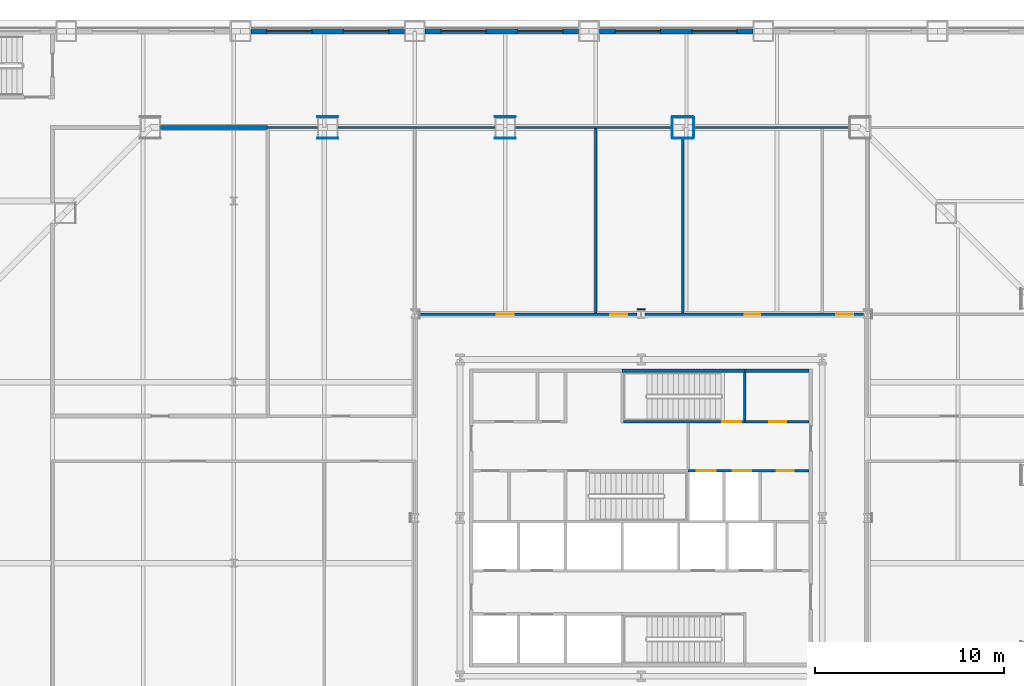
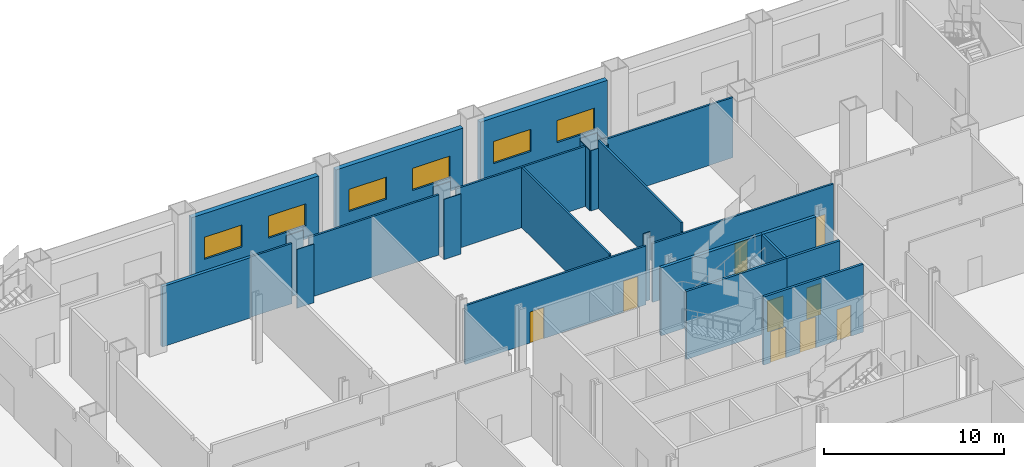
# One storey, part 16 of 26: 27 walls, 9 doors, 6 windows, 15 openings.
"""IFC4 building model written with IfcOpenShell, lengths in metres."""

from ifc_helpers import new_model, si_unit, direction, frame, frame_2d, origin, place, context, subcontext, project, spatial, polyline, rectangle, outline, extrude, material, layer, layer_set, type_object, element, fill, save


model = new_model("IFC4")

# Units and contexts
model_context = context("Model", 3, precision=1e-05, world=origin(), true_north=direction((0.0, 1.0)))
body_context = subcontext(model_context, "Body", "Model", "MODEL_VIEW")
ifc_project = project(units=[si_unit("LENGTHUNIT", "METRE"), si_unit("AREAUNIT", "SQUARE_METRE"), si_unit("VOLUMEUNIT", "CUBIC_METRE"), si_unit("PLANEANGLEUNIT", "RADIAN"), si_unit("MASSUNIT", "GRAM", prefix="KILO")], contexts=[model_context])

# Site, building, storey
site_placement = place(None, origin())
site = spatial("IfcSite", under=ifc_project, at=site_placement, CompositionType="ELEMENT")
building_placement = place(site_placement, origin())
building = spatial("IfcBuilding", under=site, at=building_placement, Name="Cairn Pilgrim Tower", CompositionType="ELEMENT")
storey_placement = place(building_placement, frame((0.0, 0.0, 21.0)))
storey = spatial("IfcBuildingStorey", under=building, at=storey_placement, Name="L03", CompositionType="ELEMENT", Elevation=21.0)

# Wall
ifc_material_1 = material(Name="Concrete C32/40", Category="concrete")
ifc_layer_1 = layer(ifc_material_1, 0.199951171875)
ifc_layer_set_1 = layer_set([ifc_layer_1], Name="CORE OUTER WALL 200 EI 120")
wall_type_1 = type_object("IfcWallType", Name="CORE OUTER WALL 200 EI 120", PredefinedType="SOLIDWALL", material=ifc_layer_set_1)
wall_1_placement = place(storey_placement, frame((12.699951171875, 10.199951171875, 0.0), z_axis=(0.0, 0.0, 1.0), x_axis=(1.0, 0.0, 0.0)))
element("IfcWall", 1, at=wall_1_placement, inside=storey, type_object=wall_type_1, Name="CW:L03:H11-3", PredefinedType="SOLIDWALL", context=body_context, shape_type="SweptSolid", body=[
    extrude(rectangle(XDim=3.400146484375, YDim=0.199951171875, at=frame_2d((1.7001953125, 0.0))), origin(), (0.0, 0.0, 1.0), 4.60009765625),
])

# Wall, openings, doors
ifc_layer_2 = layer(ifc_material_1, 0.14990234375)
ifc_layer_set_2 = layer_set([ifc_layer_2], Name="CORE SHAFT WALL 150 EI 120")
wall_type_2 = type_object("IfcWallType", Name="CORE SHAFT WALL 150 EI 120", PredefinedType="SOLIDWALL", material=ifc_layer_set_2)
wall_2_placement = place(storey_placement, frame((9.699951171875, 4.89990234375, 0.0), z_axis=(0.0, 0.0, 1.0), x_axis=(1.0, 0.0, 0.0)))
wall_2 = element("IfcWall", 2, at=wall_2_placement, inside=storey, type_object=wall_type_2, Name="CW:L03:H08-2", PredefinedType="SOLIDWALL", context=body_context, shape_type="SweptSolid", body=[
    extrude(rectangle(XDim=6.400146484375, YDim=0.14990234375, at=frame_2d((3.2001953125, 0.0))), origin(), (0.0, 0.0, 1.0), 4.60009765625),
])
opening_1_placement = place(wall_2_placement, frame((0.449951171875, 0.0, 0.0)))
opening_1 = element("IfcOpeningElement", 3, at=opening_1_placement, cuts=wall_2, Name="Opening LD-FF1", PredefinedType="OPENING", context=body_context, shape_type="SweptSolid", body=[
    extrude(rectangle(XDim=1.0, YDim=2.10009765625, at=frame_2d((0.5, 1.050048828125))), frame((0.0, 0.0849609375, 0.0), z_axis=(0.0, -1.0, 0.0), x_axis=(1.0, 0.0, 0.0)), (0.0, 0.0, 1.0), 0.169921875),
])
opening_2_placement = place(wall_2_placement, frame((2.35009765625, 0.0, 0.0)))
opening_2 = element("IfcOpeningElement", 4, at=opening_2_placement, cuts=wall_2, Name="Opening LD-FF2", PredefinedType="OPENING", context=body_context, shape_type="SweptSolid", body=[
    extrude(rectangle(XDim=1.0, YDim=2.10009765625, at=frame_2d((0.5, 1.050048828125))), frame((0.0, 0.0849609375, 0.0), z_axis=(0.0, -1.0, 0.0), x_axis=(1.0, 0.0, 0.0)), (0.0, 0.0, 1.0), 0.169921875),
])
opening_3_placement = place(wall_2_placement, frame((4.699951171875, 0.0, 0.0)))
opening_3 = element("IfcOpeningElement", 5, at=opening_3_placement, cuts=wall_2, Name="Opening RD-R3E", PredefinedType="OPENING", context=body_context, shape_type="SweptSolid", body=[
    extrude(rectangle(XDim=0.89990234375, YDim=2.10009765625, at=frame_2d((0.449951171875, 1.050048828125))), frame((0.0, 0.0849609375, 0.0), z_axis=(0.0, -1.0, 0.0), x_axis=(1.0, 0.0, 0.0)), (0.0, 0.0, 1.0), 0.169921875),
])
ifc_material_2 = material(Name="Stainless steel", Category="steel")
door_type_1 = type_object("IfcDoorType", Name="LIFT LANDING DOOR FIRE 1000x2100", OperationType="DOUBLE_DOOR_SLIDING", PredefinedType="DOOR", material=ifc_material_2)
door_1_placement = place(opening_1_placement, origin())
door_1 = element("IfcDoor", 6, at=door_1_placement, inside=storey, type_object=door_type_1, Name="LANDING DOOR FF1", OperationType="DOUBLE_DOOR_SLIDING", OverallHeight=2.10009765625, OverallWidth=1.0, PredefinedType="DOOR", context=body_context, shape_type="SweptSolid", body=[
    extrude(rectangle(XDim=1.0, YDim=2.10009765625, at=frame_2d((0.5, 1.050048828125))), frame((0.0, 0.02490234375, 0.0), z_axis=(0.0, -1.0, 0.0), x_axis=(1.0, 0.0, 0.0)), (0.0, 0.0, 1.0), 0.050048828125),
])
fill(opening_1, door_1)
door_2_placement = place(opening_2_placement, origin())
door_2 = element("IfcDoor", 7, at=door_2_placement, inside=storey, type_object=door_type_1, Name="LANDING DOOR FF2", OperationType="DOUBLE_DOOR_SLIDING", OverallHeight=2.10009765625, OverallWidth=1.0, PredefinedType="DOOR", context=body_context, shape_type="SweptSolid", body=[
    extrude(rectangle(XDim=1.0, YDim=2.10009765625, at=frame_2d((0.5, 1.050048828125))), frame((0.0, 0.02490234375, 0.0), z_axis=(0.0, -1.0, 0.0), x_axis=(1.0, 0.0, 0.0)), (0.0, 0.0, 1.0), 0.050048828125),
])
fill(opening_2, door_2)
ifc_material_3 = material(Name="Painted steel", Category="steel")
door_type_2 = type_object("IfcDoorType", Name="SERVICE ROOM DOOR 900x2100", OperationType="SINGLE_SWING_LEFT", PredefinedType="DOOR", material=ifc_material_3)
door_3_placement = place(opening_3_placement, origin())
door_3 = element("IfcDoor", 8, at=door_3_placement, inside=storey, type_object=door_type_2, Name="RD-R3E", OperationType="SINGLE_SWING_LEFT", OverallHeight=2.10009765625, OverallWidth=0.89990234375, PredefinedType="DOOR", context=body_context, shape_type="SweptSolid", body=[
    extrude(rectangle(XDim=0.89990234375, YDim=2.10009765625, at=frame_2d((0.449951171875, 1.050048828125))), frame((0.0, 0.02490234375, 0.0), z_axis=(0.0, -1.0, 0.0), x_axis=(1.0, 0.0, 0.0)), (0.0, 0.0, 1.0), 0.050048828125),
])
fill(opening_3, door_3)

# Wall, opening, door
wall_3_placement = place(storey_placement, frame((12.699951171875, 7.5, 0.0), z_axis=(0.0, 0.0, 1.0), x_axis=(1.0, 0.0, 0.0)))
wall_3 = element("IfcWall", 9, at=wall_3_placement, inside=storey, type_object=wall_type_2, Name="CW:L03:H10-2", PredefinedType="SOLIDWALL", context=body_context, shape_type="SweptSolid", body=[
    extrude(rectangle(XDim=3.400146484375, YDim=0.14990234375, at=frame_2d((1.7001953125, 0.0))), origin(), (0.0, 0.0, 1.0), 4.60009765625),
])
opening_4_placement = place(wall_3_placement, frame((1.300048828125, 0.0, 0.0)))
opening_4 = element("IfcOpeningElement", 10, at=opening_4_placement, cuts=wall_3, Name="Opening RD-R4E", PredefinedType="OPENING", context=body_context, shape_type="SweptSolid", body=[
    extrude(rectangle(XDim=0.89990234375, YDim=2.10009765625, at=frame_2d((0.449951171875, 1.050048828125))), frame((0.0, 0.0849609375, 0.0), z_axis=(0.0, -1.0, 0.0), x_axis=(1.0, 0.0, 0.0)), (0.0, 0.0, 1.0), 0.169921875),
])
door_4_placement = place(opening_4_placement, origin())
door_4 = element("IfcDoor", 11, at=door_4_placement, inside=storey, type_object=door_type_2, Name="RD-R4E", OperationType="SINGLE_SWING_RIGHT", OverallHeight=2.10009765625, OverallWidth=0.89990234375, PredefinedType="DOOR", context=body_context, shape_type="SweptSolid", body=[
    extrude(rectangle(XDim=0.89990234375, YDim=2.10009765625, at=frame_2d((0.449951171875, 1.050048828125))), frame((0.0, 0.02490234375, 0.0), z_axis=(0.0, -1.0, 0.0), x_axis=(1.0, 0.0, 0.0)), (0.0, 0.0, 1.0), 0.050048828125),
])
fill(opening_4, door_4)

# Wall, openings, doors
ifc_material_4 = material(Name="Gypsum partition")
ifc_layer_3 = layer(ifc_material_4, 0.125)
ifc_layer_set_3 = layer_set([ifc_layer_3], Name="PARTITION 125 DRYWALL EI 60")
wall_type_3 = type_object("IfcWallType", Name="PARTITION 125 DRYWALL EI 60", PredefinedType="PARTITIONING", material=ifc_layer_set_3)
wall_4_placement = place(storey_placement, frame((-4.587890625, 13.199951171875, 0.0), z_axis=(0.0, 0.0, 1.0), x_axis=(1.0, 0.0, 0.0)))
wall_4 = element("IfcWall", 12, at=wall_4_placement, inside=storey, type_object=wall_type_3, Name="PARTITION W054", PredefinedType="PARTITIONING", context=body_context, shape_type="SweptSolid", body=[
    extrude(rectangle(XDim=11.575927734375, YDim=0.125, at=frame_2d((5.7880859375, 0.0))), origin(), (0.0, 0.0, 1.0), 3.97998046875),
])
opening_5_placement = place(wall_4_placement, frame((4.137939453125, 0.0, 0.0)))
opening_5 = element("IfcOpeningElement", 13, at=opening_5_placement, cuts=wall_4, Name="Opening 0305", PredefinedType="OPENING", context=body_context, shape_type="SweptSolid", body=[
    extrude(rectangle(XDim=0.89990234375, YDim=2.10009765625, at=frame_2d((0.449951171875, 1.050048828125))), frame((0.0, 0.072509765625, 0.0), z_axis=(0.0, -1.0, 0.0), x_axis=(1.0, 0.0, 0.0)), (0.0, 0.0, 1.0), 0.14501953125),
])
opening_6_placement = place(wall_4_placement, frame((10.14306640625, 0.0, 0.0)))
opening_6 = element("IfcOpeningElement", 14, at=opening_6_placement, cuts=wall_4, Name="Opening 0306", PredefinedType="OPENING", context=body_context, shape_type="SweptSolid", body=[
    extrude(rectangle(XDim=0.89990234375, YDim=2.10009765625, at=frame_2d((0.449951171875, 1.050048828125))), frame((0.0, 0.072509765625, 0.0), z_axis=(0.0, -1.0, 0.0), x_axis=(1.0, 0.0, 0.0)), (0.0, 0.0, 1.0), 0.14501953125),
])
ifc_material_5 = material(Name="Timber door leaf", Category="wood")
door_type_3 = type_object("IfcDoorType", Name="ROOM DOOR 900x2100 FD30S", OperationType="NOTDEFINED", PredefinedType="DOOR", material=ifc_material_5)
door_5_placement = place(opening_6_placement, frame((0.89990234375, 0.0, 0.0), z_axis=(0.0, 0.0, 1.0), x_axis=(-1.0, 0.0, 0.0)))
door_5 = element("IfcDoor", 15, at=door_5_placement, inside=storey, type_object=door_type_3, Name="DOOR 0306", OperationType="SINGLE_SWING_RIGHT", OverallHeight=2.10009765625, OverallWidth=0.89990234375, PredefinedType="DOOR", context=body_context, shape_type="SweptSolid", body=[
    extrude(rectangle(XDim=0.89990234375, YDim=2.10009765625, at=frame_2d((0.449951171875, 1.050048828125))), frame((0.0, 0.02490234375, 0.0), z_axis=(0.0, -1.0, 0.0), x_axis=(1.0, 0.0, 0.0)), (0.0, 0.0, 1.0), 0.050048828125),
])
fill(opening_6, door_5)
door_type_4 = type_object("IfcDoorType", Name="SERVICE DOOR 900x2100 FD30S", OperationType="NOTDEFINED", PredefinedType="DOOR", material=ifc_material_5)
door_6_placement = place(opening_5_placement, frame((0.89990234375, 0.0, 0.0), z_axis=(0.0, 0.0, 1.0), x_axis=(-1.0, 0.0, 0.0)))
door_6 = element("IfcDoor", 16, at=door_6_placement, inside=storey, type_object=door_type_4, Name="DOOR 0305", OperationType="SINGLE_SWING_LEFT", OverallHeight=2.10009765625, OverallWidth=0.89990234375, PredefinedType="DOOR", context=body_context, shape_type="SweptSolid", body=[
    extrude(rectangle(XDim=0.89990234375, YDim=2.10009765625, at=frame_2d((0.449951171875, 1.050048828125))), frame((0.0, 0.02490234375, 0.0), z_axis=(0.0, -1.0, 0.0), x_axis=(1.0, 0.0, 0.0)), (0.0, 0.0, 1.0), 0.050048828125),
])
fill(opening_5, door_6)

wall_5_placement = place(storey_placement, frame((7.412109375, 13.199951171875, 0.0), z_axis=(0.0, 0.0, 1.0), x_axis=(1.0, 0.0, 0.0)))
wall_5 = element("IfcWall", 17, at=wall_5_placement, inside=storey, type_object=wall_type_3, Name="PARTITION W055", PredefinedType="PARTITIONING", context=body_context, shape_type="SweptSolid", body=[
    extrude(rectangle(XDim=11.575927734375, YDim=0.125, at=frame_2d((5.7880859375, 0.0))), origin(), (0.0, 0.0, 1.0), 3.97998046875),
])
opening_7_placement = place(wall_5_placement, frame((5.29296875, 0.0, 0.0)))
opening_7 = element("IfcOpeningElement", 18, at=opening_7_placement, cuts=wall_5, Name="Opening 0307", PredefinedType="OPENING", context=body_context, shape_type="SweptSolid", body=[
    extrude(rectangle(XDim=0.800048828125, YDim=2.10009765625, at=frame_2d((0.39990234375, 1.050048828125))), frame((0.0, 0.072509765625, 0.0), z_axis=(0.0, -1.0, 0.0), x_axis=(1.0, 0.0, 0.0)), (0.0, 0.0, 1.0), 0.14501953125),
])
opening_8_placement = place(wall_5_placement, frame((10.137939453125, 0.0, 0.0)))
opening_8 = element("IfcOpeningElement", 19, at=opening_8_placement, cuts=wall_5, Name="Opening 0308", PredefinedType="OPENING", context=body_context, shape_type="SweptSolid", body=[
    extrude(rectangle(XDim=0.89990234375, YDim=2.10009765625, at=frame_2d((0.449951171875, 1.050048828125))), frame((0.0, 0.072509765625, 0.0), z_axis=(0.0, -1.0, 0.0), x_axis=(1.0, 0.0, 0.0)), (0.0, 0.0, 1.0), 0.14501953125),
])
door_7_placement = place(opening_8_placement, frame((0.89990234375, 0.0, 0.0), z_axis=(0.0, 0.0, 1.0), x_axis=(-1.0, 0.0, 0.0)))
door_7 = element("IfcDoor", 20, at=door_7_placement, inside=storey, type_object=door_type_4, Name="DOOR 0308", OperationType="SINGLE_SWING_RIGHT", OverallHeight=2.10009765625, OverallWidth=0.89990234375, PredefinedType="DOOR", context=body_context, shape_type="SweptSolid", body=[
    extrude(rectangle(XDim=0.89990234375, YDim=2.10009765625, at=frame_2d((0.449951171875, 1.050048828125))), frame((0.0, 0.02490234375, 0.0), z_axis=(0.0, -1.0, 0.0), x_axis=(1.0, 0.0, 0.0)), (0.0, 0.0, 1.0), 0.050048828125),
])
fill(opening_8, door_7)
door_type_5 = type_object("IfcDoorType", Name="WC DOOR 800x2100 FD30S", OperationType="NOTDEFINED", PredefinedType="DOOR", material=ifc_material_5)
door_8_placement = place(opening_7_placement, frame((0.800048828125, 0.0, 0.0), z_axis=(0.0, 0.0, 1.0), x_axis=(-1.0, 0.0, 0.0)))
door_8 = element("IfcDoor", 21, at=door_8_placement, inside=storey, type_object=door_type_5, Name="DOOR 0307", OperationType="SINGLE_SWING_LEFT", OverallHeight=2.10009765625, OverallWidth=0.800048828125, PredefinedType="DOOR", context=body_context, shape_type="SweptSolid", body=[
    extrude(rectangle(XDim=0.800048828125, YDim=2.10009765625, at=frame_2d((0.39990234375, 1.050048828125))), frame((0.0, 0.02490234375, 0.0), z_axis=(0.0, -1.0, 0.0), x_axis=(1.0, 0.0, 0.0)), (0.0, 0.0, 1.0), 0.050048828125),
])
fill(opening_7, door_8)

# Walls
wall_6_placement = place(storey_placement, frame((4.800048828125, 13.262451171875, 0.0), z_axis=(0.0, 0.0, 1.0), x_axis=(0.0, 1.0, 0.0)))
element("IfcWall", 22, at=wall_6_placement, inside=storey, type_object=wall_type_3, Name="PARTITION W057", PredefinedType="PARTITIONING", context=body_context, shape_type="SweptSolid", body=[
    extrude(outline(polyline([(0.0, 0.0), (9.775146484375, 0.0), (9.77490234375, 4.080078125), (0.08740234375, 4.080078125), (0.08544921875, 3.97998046875), (0.0, 3.97998046875), (0.0, 0.0)])), frame((0.0, 0.0625, 0.0), z_axis=(0.0, -1.0, 0.0), x_axis=(1.0, 0.0, 0.0)), (0.0, 0.0, 1.0), 0.125),
])
wall_7_placement = place(storey_placement, frame((9.409912109375, 13.262451171875, 0.0), z_axis=(0.0, 0.0, 1.0), x_axis=(0.0, 1.0, 0.0)))
element("IfcWall", 23, at=wall_7_placement, inside=storey, type_object=wall_type_3, Name="PARTITION W058", PredefinedType="PARTITIONING", context=body_context, shape_type="SweptSolid", body=[
    extrude(outline(polyline([(0.0, 0.0), (9.28759765625, 0.0), (9.28759765625, 4.60009765625), (0.08740234375, 4.60009765625), (0.08544921875, 3.97998046875), (0.0, 3.97998046875), (0.0, 0.0)])), frame((0.0, 0.0625, 0.0), z_axis=(0.0, -1.0, 0.0), x_axis=(1.0, 0.0, 0.0)), (0.0, 0.0, 1.0), 0.125),
])
wall_8_placement = place(storey_placement, frame((-12.60009765625, 23.10009765625, 0.0), z_axis=(0.0, 0.0, 1.0), x_axis=(1.0, 0.0, 0.0)))
element("IfcWall", 24, at=wall_8_placement, inside=storey, type_object=wall_type_3, Name="PARTITION W069", PredefinedType="PARTITIONING", context=body_context, shape_type="SweptSolid", body=[
    extrude(rectangle(XDim=2.636474609375, YDim=0.125, at=frame_2d((1.318359375, 0.0))), origin(), (0.0, 0.0, 1.0), 4.080078125),
])
for number, where, z_axis, x_axis, name in (
    (25, (-8.863525390625, 23.10009765625, 0.0), (0.0, 0.0, 1.0), (1.0, 0.0, 0.0), "PARTITION W070"),
    (26, (0.550048828125, 23.10009765625, 0.0), (0.0, 0.0, 1.0), (1.0, 0.0, 0.0), "PARTITION W071"),
    (27, (9.963623046875, 23.10009765625, 0.0), (0.0, 0.0, 1.0), (1.0, 0.0, 0.0), "PARTITION W072"),
):
    element("IfcWall", number, at=place(storey_placement, frame(where, z_axis=z_axis, x_axis=x_axis)), inside=storey, type_object=wall_type_3, Name=name, PredefinedType="PARTITIONING", context=body_context, shape_type="SweptSolid", body=[
        extrude(rectangle(XDim=8.3134765625, YDim=0.125, at=frame_2d((4.15673828125, 0.0))), origin(), (0.0, 0.0, 1.0), 4.080078125),
    ])
ifc_layer_4 = layer(ifc_material_4, 0.050048828125)
ifc_layer_set_4 = layer_set([ifc_layer_4], Name="PARTITION 50 DRYWALL EI 60")
wall_type_4 = type_object("IfcWallType", Name="PARTITION 50 DRYWALL EI 60", PredefinedType="PARTITIONING", material=ifc_layer_set_4)
wall_9_placement = place(storey_placement, frame((6.988037109375, 13.4619140625, 0.0), z_axis=(0.0, 0.0, 1.0), x_axis=(1.0, 0.0, 0.0)))
element("IfcWall", 28, at=wall_9_placement, inside=storey, type_object=wall_type_4, Name="COLUMN CASING WC34", PredefinedType="PARTITIONING", context=body_context, shape_type="SweptSolid", body=[
    extrude(rectangle(XDim=0.424072265625, YDim=0.050048828125, at=frame_2d((0.2119140625, 0.0))), origin(), (0.0, 0.0, 1.0), 4.60009765625),
])
for number, where, z_axis, x_axis, name in (
    (29, (9.988525390625, 22.550048828125, 0.0), (0.0, 0.0, 1.0), (0.0, 1.0, 0.0), "COLUMN CASING WC36"),
    (30, (8.838623046875, 22.550048828125, 0.0), (0.0, 0.0, 1.0), (0.0, 1.0, 0.0), "COLUMN CASING WC37"),
):
    element("IfcWall", number, at=place(storey_placement, frame(where, z_axis=z_axis, x_axis=x_axis)), inside=storey, type_object=wall_type_4, Name=name, PredefinedType="PARTITIONING", context=body_context, shape_type="SweptSolid", body=[
        extrude(rectangle(XDim=1.099853515625, YDim=0.050048828125, at=frame_2d((0.5498046875, 0.0))), origin(), (0.0, 0.0, 1.0), 4.080078125),
    ])
wall_10_placement = place(storey_placement, frame((-9.963623046875, 23.675048828125, 0.0), z_axis=(0.0, 0.0, 1.0), x_axis=(1.0, 0.0, 0.0)))
element("IfcWall", 31, at=wall_10_placement, inside=storey, type_object=wall_type_4, Name="COLUMN CASING WC41", PredefinedType="PARTITIONING", context=body_context, shape_type="SweptSolid", body=[
    extrude(rectangle(XDim=1.10009765625, YDim=0.050048828125, at=frame_2d((0.550048828125, 0.0))), origin(), (0.0, 0.0, 1.0), 4.219970703125),
])
wall_11_placement = place(storey_placement, frame((-9.963623046875, 22.52490234375, 0.0), z_axis=(0.0, 0.0, 1.0), x_axis=(1.0, 0.0, 0.0)))
element("IfcWall", 32, at=wall_11_placement, inside=storey, type_object=wall_type_4, Name="COLUMN CASING WC42", PredefinedType="PARTITIONING", context=body_context, shape_type="SweptSolid", body=[
    extrude(rectangle(XDim=1.10009765625, YDim=0.050048828125, at=frame_2d((0.550048828125, 0.0))), origin(), (0.0, 0.0, 1.0), 3.97998046875),
])
wall_12_placement = place(storey_placement, frame((-0.550048828125, 22.52490234375, 0.0), z_axis=(0.0, 0.0, 1.0), x_axis=(1.0, 0.0, 0.0)))
element("IfcWall", 33, at=wall_12_placement, inside=storey, type_object=wall_type_4, Name="COLUMN CASING WC43", PredefinedType="PARTITIONING", context=body_context, shape_type="SweptSolid", body=[
    extrude(rectangle(XDim=1.10009765625, YDim=0.050048828125, at=frame_2d((0.550048828125, 0.0))), origin(), (0.0, 0.0, 1.0), 4.080078125),
])
for number, where, z_axis, x_axis, name in (
    (34, (-0.550048828125, 23.675048828125, 0.0), (0.0, 0.0, 1.0), (1.0, 0.0, 0.0), "COLUMN CASING WC44"),
    (35, (8.863525390625, 23.675048828125, 0.0), (0.0, 0.0, 1.0), (1.0, 0.0, 0.0), "COLUMN CASING WC45"),
):
    element("IfcWall", number, at=place(storey_placement, frame(where, z_axis=z_axis, x_axis=x_axis)), inside=storey, type_object=wall_type_4, Name=name, PredefinedType="PARTITIONING", context=body_context, shape_type="SweptSolid", body=[
        extrude(rectangle(XDim=1.10009765625, YDim=0.050048828125, at=frame_2d((0.550048828125, 0.0))), origin(), (0.0, 0.0, 1.0), 4.219970703125),
    ])
wall_13_placement = place(storey_placement, frame((8.863525390625, 22.52490234375, 0.0), z_axis=(0.0, 0.0, 1.0), x_axis=(1.0, 0.0, 0.0)))
element("IfcWall", 36, at=wall_13_placement, inside=storey, type_object=wall_type_4, Name="COLUMN CASING WC46", PredefinedType="PARTITIONING", context=body_context, shape_type="SweptSolid", body=[
    extrude(rectangle(XDim=1.10009765625, YDim=0.050048828125, at=frame_2d((0.550048828125, 0.0))), origin(), (0.0, 0.0, 1.0), 4.080078125),
])

# Wall, openings, windows
ifc_material_6 = material(Name="Concrete C35/45 backup wall with bronze aluminium cladding", Category="concrete")
ifc_layer_5 = layer(ifc_material_6, 0.300048828125)
ifc_layer_set_5 = layer_set([ifc_layer_5], Name="PODIUM WALL 300 BRONZE-CLAD")
wall_type_5 = type_object("IfcWallType", Name="PODIUM WALL 300 BRONZE-CLAD", PredefinedType="SOLIDWALL", material=ifc_layer_set_5)
wall_14_placement = place(storey_placement, frame((13.125732421875, 28.199951171875, 0.0), z_axis=(0.0, 0.0, 1.0), x_axis=(-1.0, 0.0, 0.0)))
wall_14 = element("IfcWall", 37, at=wall_14_placement, inside=storey, type_object=wall_type_5, Name="PODIUM EXTERNAL WALL N3-N4", PredefinedType="SOLIDWALL", context=body_context, shape_type="SweptSolid", body=[
    extrude(rectangle(XDim=8.137939453125, YDim=0.300048828125, at=frame_2d((4.06884765625, 0.0))), origin(), (0.0, 0.0, 1.0), 4.0),
])
opening_9_placement = place(wall_14_placement, frame((0.83447265625, 0.0, 0.89990234375)))
opening_9 = element("IfcOpeningElement", 38, at=opening_9_placement, cuts=wall_14, Name="Opening PW15", PredefinedType="OPENING", context=body_context, shape_type="SweptSolid", body=[
    extrude(rectangle(XDim=2.39990234375, YDim=1.5, at=frame_2d((1.199951171875, 0.75))), frame((0.0, 0.16015625, 0.0), z_axis=(0.0, -1.0, 0.0), x_axis=(1.0, 0.0, 0.0)), (0.0, 0.0, 1.0), 0.320068359375),
])
opening_10_placement = place(wall_14_placement, frame((4.9033203125, 0.0, 0.89990234375)))
opening_10 = element("IfcOpeningElement", 39, at=opening_10_placement, cuts=wall_14, Name="Opening PW15", PredefinedType="OPENING", context=body_context, shape_type="SweptSolid", body=[
    extrude(rectangle(XDim=2.39990234375, YDim=1.5, at=frame_2d((1.199951171875, 0.75))), frame((0.0, 0.16015625, 0.0), z_axis=(0.0, -1.0, 0.0), x_axis=(1.0, 0.0, 0.0)), (0.0, 0.0, 1.0), 0.320068359375),
])
ifc_material_7 = material(Name="Bronze anodised aluminium frame with tinted low-E glass", Category="aluminium")
window_type = type_object("IfcWindowType", Name="PODIUM FIXED WINDOW 2400x1500", PartitioningType="SINGLE_PANEL", PredefinedType="WINDOW", material=ifc_material_7)
window_1_placement = place(opening_9_placement, origin())
window_1 = element("IfcWindow", 40, at=window_1_placement, inside=storey, type_object=window_type, Name="PODIUM WINDOW", OverallHeight=1.5, OverallWidth=2.39990234375, PartitioningType="SINGLE_PANEL", PredefinedType="WINDOW", context=body_context, shape_type="SweptSolid", body=[
    extrude(rectangle(XDim=2.39990234375, YDim=1.5, at=frame_2d((1.199951171875, 0.75))), frame((0.0, 0.030029296875, 0.0), z_axis=(0.0, -1.0, 0.0), x_axis=(1.0, 0.0, 0.0)), (0.0, 0.0, 1.0), 0.06005859375),
])
fill(opening_9, window_1)
window_2_placement = place(opening_10_placement, origin())
window_2 = element("IfcWindow", 41, at=window_2_placement, inside=storey, type_object=window_type, Name="PODIUM WINDOW", OverallHeight=1.5, OverallWidth=2.39990234375, PartitioningType="SINGLE_PANEL", PredefinedType="WINDOW", context=body_context, shape_type="SweptSolid", body=[
    extrude(rectangle(XDim=2.39990234375, YDim=1.5, at=frame_2d((1.199951171875, 0.75))), frame((0.0, 0.030029296875, 0.0), z_axis=(0.0, -1.0, 0.0), x_axis=(1.0, 0.0, 0.0)), (0.0, 0.0, 1.0), 0.06005859375),
])
fill(opening_10, window_2)

wall_15_placement = place(storey_placement, frame((3.887939453125, 28.199951171875, 0.0), z_axis=(0.0, 0.0, 1.0), x_axis=(-1.0, 0.0, 0.0)))
wall_15 = element("IfcWall", 42, at=wall_15_placement, inside=storey, type_object=wall_type_5, Name="PODIUM EXTERNAL WALL N4-N5", PredefinedType="SOLIDWALL", context=body_context, shape_type="SweptSolid", body=[
    extrude(rectangle(XDim=8.137939453125, YDim=0.300048828125, at=frame_2d((4.06884765625, 0.0))), origin(), (0.0, 0.0, 1.0), 4.0),
])
opening_11_placement = place(wall_15_placement, frame((0.83447265625, 0.0, 0.89990234375)))
opening_11 = element("IfcOpeningElement", 43, at=opening_11_placement, cuts=wall_15, Name="Opening PW15", PredefinedType="OPENING", context=body_context, shape_type="SweptSolid", body=[
    extrude(rectangle(XDim=2.39990234375, YDim=1.5, at=frame_2d((1.199951171875, 0.75))), frame((0.0, 0.16015625, 0.0), z_axis=(0.0, -1.0, 0.0), x_axis=(1.0, 0.0, 0.0)), (0.0, 0.0, 1.0), 0.320068359375),
])
opening_12_placement = place(wall_15_placement, frame((4.9033203125, 0.0, 0.89990234375)))
opening_12 = element("IfcOpeningElement", 44, at=opening_12_placement, cuts=wall_15, Name="Opening PW15", PredefinedType="OPENING", context=body_context, shape_type="SweptSolid", body=[
    extrude(rectangle(XDim=2.39990234375, YDim=1.5, at=frame_2d((1.199951171875, 0.75))), frame((0.0, 0.16015625, 0.0), z_axis=(0.0, -1.0, 0.0), x_axis=(1.0, 0.0, 0.0)), (0.0, 0.0, 1.0), 0.320068359375),
])
window_3_placement = place(opening_11_placement, origin())
window_3 = element("IfcWindow", 45, at=window_3_placement, inside=storey, type_object=window_type, Name="PODIUM WINDOW", OverallHeight=1.5, OverallWidth=2.39990234375, PartitioningType="SINGLE_PANEL", PredefinedType="WINDOW", context=body_context, shape_type="SweptSolid", body=[
    extrude(rectangle(XDim=2.39990234375, YDim=1.5, at=frame_2d((1.199951171875, 0.75))), frame((0.0, 0.030029296875, 0.0), z_axis=(0.0, -1.0, 0.0), x_axis=(1.0, 0.0, 0.0)), (0.0, 0.0, 1.0), 0.06005859375),
])
fill(opening_11, window_3)
window_4_placement = place(opening_12_placement, origin())
window_4 = element("IfcWindow", 46, at=window_4_placement, inside=storey, type_object=window_type, Name="PODIUM WINDOW", OverallHeight=1.5, OverallWidth=2.39990234375, PartitioningType="SINGLE_PANEL", PredefinedType="WINDOW", context=body_context, shape_type="SweptSolid", body=[
    extrude(rectangle(XDim=2.39990234375, YDim=1.5, at=frame_2d((1.199951171875, 0.75))), frame((0.0, 0.030029296875, 0.0), z_axis=(0.0, -1.0, 0.0), x_axis=(1.0, 0.0, 0.0)), (0.0, 0.0, 1.0), 0.06005859375),
])
fill(opening_12, window_4)

wall_16_placement = place(storey_placement, frame((-5.35009765625, 28.199951171875, 0.0), z_axis=(0.0, 0.0, 1.0), x_axis=(-1.0, 0.0, 0.0)))
wall_16 = element("IfcWall", 47, at=wall_16_placement, inside=storey, type_object=wall_type_5, Name="PODIUM EXTERNAL WALL N5-N6", PredefinedType="SOLIDWALL", context=body_context, shape_type="SweptSolid", body=[
    extrude(rectangle(XDim=8.1376953125, YDim=0.300048828125, at=frame_2d((4.06884765625, 0.0))), origin(), (0.0, 0.0, 1.0), 4.0),
])
opening_13_placement = place(wall_16_placement, frame((0.83447265625, 0.0, 0.89990234375)))
opening_13 = element("IfcOpeningElement", 48, at=opening_13_placement, cuts=wall_16, Name="Opening PW15", PredefinedType="OPENING", context=body_context, shape_type="SweptSolid", body=[
    extrude(rectangle(XDim=2.39990234375, YDim=1.5, at=frame_2d((1.199951171875, 0.75))), frame((0.0, 0.16015625, 0.0), z_axis=(0.0, -1.0, 0.0), x_axis=(1.0, 0.0, 0.0)), (0.0, 0.0, 1.0), 0.320068359375),
])
opening_14_placement = place(wall_16_placement, frame((4.9033203125, 0.0, 0.89990234375)))
opening_14 = element("IfcOpeningElement", 49, at=opening_14_placement, cuts=wall_16, Name="Opening PW15", PredefinedType="OPENING", context=body_context, shape_type="SweptSolid", body=[
    extrude(rectangle(XDim=2.39990234375, YDim=1.5, at=frame_2d((1.199951171875, 0.75))), frame((0.0, 0.16015625, 0.0), z_axis=(0.0, -1.0, 0.0), x_axis=(1.0, 0.0, 0.0)), (0.0, 0.0, 1.0), 0.320068359375),
])
window_5_placement = place(opening_13_placement, origin())
window_5 = element("IfcWindow", 50, at=window_5_placement, inside=storey, type_object=window_type, Name="PODIUM WINDOW", OverallHeight=1.5, OverallWidth=2.39990234375, PartitioningType="SINGLE_PANEL", PredefinedType="WINDOW", context=body_context, shape_type="SweptSolid", body=[
    extrude(rectangle(XDim=2.39990234375, YDim=1.5, at=frame_2d((1.199951171875, 0.75))), frame((0.0, 0.030029296875, 0.0), z_axis=(0.0, -1.0, 0.0), x_axis=(1.0, 0.0, 0.0)), (0.0, 0.0, 1.0), 0.06005859375),
])
fill(opening_13, window_5)
window_6_placement = place(opening_14_placement, origin())
window_6 = element("IfcWindow", 51, at=window_6_placement, inside=storey, type_object=window_type, Name="PODIUM WINDOW", OverallHeight=1.5, OverallWidth=2.39990234375, PartitioningType="SINGLE_PANEL", PredefinedType="WINDOW", context=body_context, shape_type="SweptSolid", body=[
    extrude(rectangle(XDim=2.39990234375, YDim=1.5, at=frame_2d((1.199951171875, 0.75))), frame((0.0, 0.030029296875, 0.0), z_axis=(0.0, -1.0, 0.0), x_axis=(1.0, 0.0, 0.0)), (0.0, 0.0, 1.0), 0.06005859375),
])
fill(opening_14, window_6)

# Wall
ifc_layer_6 = layer(ifc_material_4, 0.199951171875)
ifc_layer_set_6 = layer_set([ifc_layer_6], Name="SHAFT WALL 200 GYPSUM EI 120")
wall_type_6 = type_object("IfcWallType", Name="SHAFT WALL 200 GYPSUM EI 120", PredefinedType="PARTITIONING", material=ifc_layer_set_6)
wall_17_placement = place(storey_placement, frame((-18.277099609375, 23.10009765625, 0.0), z_axis=(0.0, 0.0, 1.0), x_axis=(1.0, 0.0, 0.0)))
element("IfcWall", 52, at=wall_17_placement, inside=storey, type_object=wall_type_6, Name="PARTITION W068", PredefinedType="PARTITIONING", context=body_context, shape_type="SweptSolid", body=[
    extrude(rectangle(XDim=5.677001953125, YDim=0.199951171875, at=frame_2d((2.83837890625, 0.0))), origin(), (0.0, 0.0, 1.0), 4.080078125),
])

# Wall, opening, door
ifc_material_8 = material(Name="Concrete C35/45", Category="concrete")
ifc_layer_7 = layer(ifc_material_8, 0.14990234375)
ifc_layer_set_7 = layer_set([ifc_layer_7], Name="STAIR SHAFT WALL 150 EI 120")
wall_type_7 = type_object("IfcWallType", Name="STAIR SHAFT WALL 150 EI 120", PredefinedType="SOLIDWALL", material=ifc_layer_set_7)
wall_18_placement = place(storey_placement, frame((6.27490234375, 7.5, 0.0), z_axis=(0.0, 0.0, 1.0), x_axis=(1.0, 0.0, 0.0)))
wall_18 = element("IfcWall", 53, at=wall_18_placement, inside=storey, type_object=wall_type_7, Name="CW:L03:H10-1", PredefinedType="SOLIDWALL", context=body_context, shape_type="SweptSolid", body=[
    extrude(rectangle(XDim=6.425048828125, YDim=0.14990234375, at=frame_2d((3.21240234375, 0.0))), origin(), (0.0, 0.0, 1.0), 4.60009765625),
])
opening_15_placement = place(wall_18_placement, frame((5.22509765625, 0.0, 0.0)))
opening_15 = element("IfcOpeningElement", 54, at=opening_15_placement, cuts=wall_18, Name="Opening SD-C", PredefinedType="OPENING", context=body_context, shape_type="SweptSolid", body=[
    extrude(rectangle(XDim=1.0, YDim=2.10009765625, at=frame_2d((0.5, 1.050048828125))), frame((0.0, 0.0849609375, 0.0), z_axis=(0.0, -1.0, 0.0), x_axis=(1.0, 0.0, 0.0)), (0.0, 0.0, 1.0), 0.169921875),
])
door_type_6 = type_object("IfcDoorType", Name="STAIR DOOR FD60S 1000x2100", OperationType="SINGLE_SWING_LEFT", PredefinedType="DOOR", material=ifc_material_3)
door_9_placement = place(opening_15_placement, origin())
door_9 = element("IfcDoor", 55, at=door_9_placement, inside=storey, type_object=door_type_6, Name="SD-C", OperationType="SINGLE_SWING_LEFT", OverallHeight=2.10009765625, OverallWidth=1.0, PredefinedType="DOOR", context=body_context, shape_type="SweptSolid", body=[
    extrude(rectangle(XDim=1.0, YDim=2.10009765625, at=frame_2d((0.5, 1.050048828125))), frame((0.0, 0.02490234375, 0.0), z_axis=(0.0, -1.0, 0.0), x_axis=(1.0, 0.0, 0.0)), (0.0, 0.0, 1.0), 0.050048828125),
])
fill(opening_15, door_9)

# Walls
wall_19_placement = place(storey_placement, frame((12.699951171875, 7.574951171875, 0.0), z_axis=(0.0, 0.0, 1.0), x_axis=(0.0, 1.0, 0.0)))
element("IfcWall", 56, at=wall_19_placement, inside=storey, type_object=wall_type_7, Name="CW:L03:V30", PredefinedType="SOLIDWALL", context=body_context, shape_type="SweptSolid", body=[
    extrude(rectangle(XDim=2.525146484375, YDim=0.14990234375, at=frame_2d((1.2626953125, 0.0))), origin(), (0.0, 0.0, 1.0), 4.60009765625),
])
ifc_layer_8 = layer(ifc_material_8, 0.199951171875)
ifc_layer_set_8 = layer_set([ifc_layer_8], Name="STAIR SHAFT WALL 200 EI 120")
wall_type_8 = type_object("IfcWallType", Name="STAIR SHAFT WALL 200 EI 120", PredefinedType="SOLIDWALL", material=ifc_layer_set_8)
wall_20_placement = place(storey_placement, frame((6.199951171875, 10.199951171875, 0.0), z_axis=(0.0, 0.0, 1.0), x_axis=(1.0, 0.0, 0.0)))
element("IfcWall", 57, at=wall_20_placement, inside=storey, type_object=wall_type_8, Name="CW:L03:H11-2", PredefinedType="SOLIDWALL", context=body_context, shape_type="SweptSolid", body=[
    extrude(rectangle(XDim=6.5, YDim=0.199951171875, at=frame_2d((3.25, 0.0))), origin(), (0.0, 0.0, 1.0), 4.60009765625),
])

save(model, "model.ifc")
